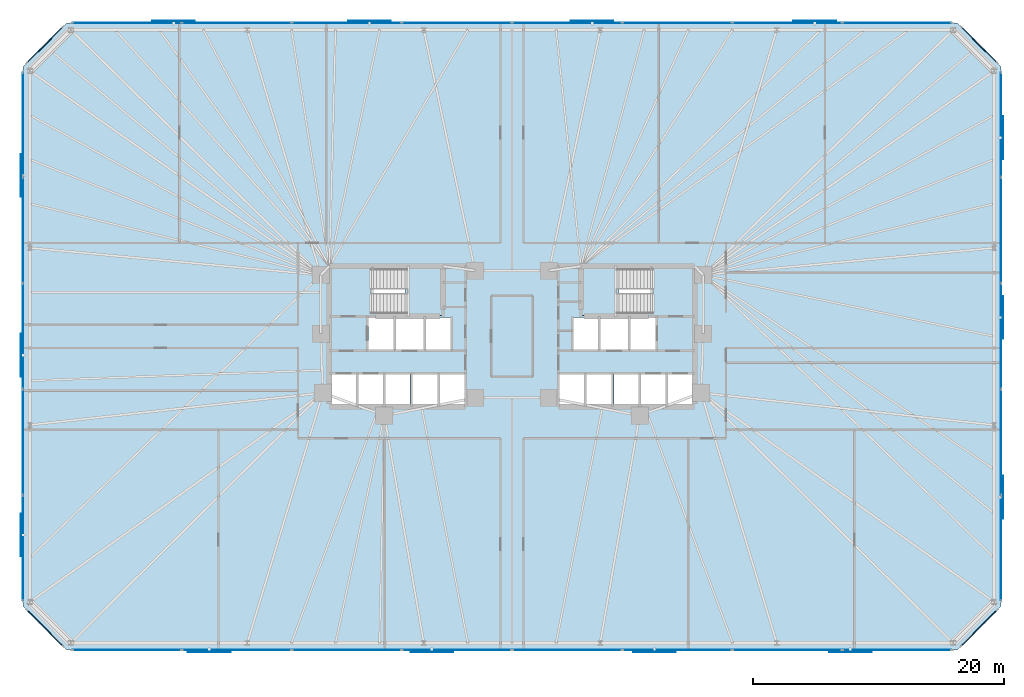
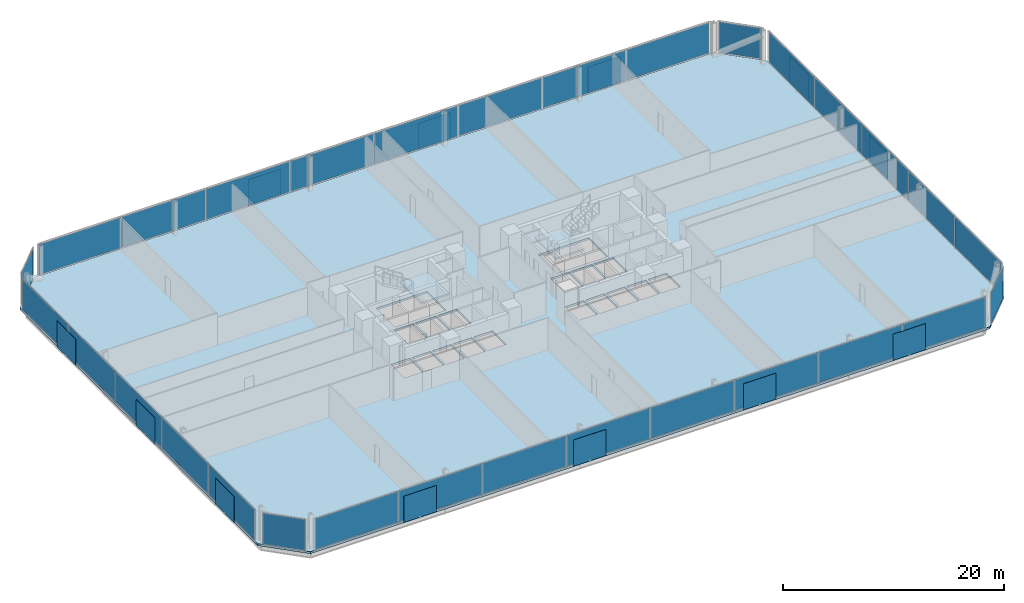
# One storey, part 11 of 17: 44 plates, 3 slabs, 10 elements without a shape of their own.
"""IFC4 building model written with IfcOpenShell, lengths in metres."""

from ifc_helpers import new_model, si_unit, direction, frame, origin, origin_2d, place, context, subcontext, project, spatial, polyline, rectangle, outline, extrude, material, layer, layer_set, type_object, element, aggregate, save


model = new_model("IFC4")

# Units and contexts
model_context = context("Model", 3, precision=1e-05, world=origin(), true_north=direction((0.0, 1.0)))
body_context = subcontext(model_context, "Body", "Model", "MODEL_VIEW")
ifc_project = project(units=[si_unit("LENGTHUNIT", "METRE"), si_unit("AREAUNIT", "SQUARE_METRE"), si_unit("VOLUMEUNIT", "CUBIC_METRE"), si_unit("PLANEANGLEUNIT", "RADIAN"), si_unit("MASSUNIT", "GRAM", prefix="KILO")], contexts=[model_context])

# Site, building, storey
site_placement = place(None, origin())
site = spatial("IfcSite", under=ifc_project, at=site_placement, CompositionType="ELEMENT")
building_placement = place(site_placement, origin())
building = spatial("IfcBuilding", under=site, at=building_placement, Name="Menara Jurai Vektor", CompositionType="ELEMENT")
storey_placement = place(building_placement, frame((0.0, 0.0, 18.0)))
storey = spatial("IfcBuildingStorey", under=building, at=storey_placement, Name="L03", CompositionType="ELEMENT", Elevation=18.0)

# Curtain wall, plates
ifc_material_1 = material(Name="Anodised Pale Aluminium & Low-E Double Glazing", Category="aluminium")
curtain_wall_type = type_object("IfcCurtainWallType", Name="CW-BLK1", PredefinedType="NOTDEFINED", material=ifc_material_1)
curtain_wall_1_placement = place(storey_placement, origin())
curtain_wall_1 = element("IfcCurtainWall", 1, at=curtain_wall_1_placement, inside=storey, type_object=curtain_wall_type, Name="Unitised Curtain Wall L03 F01", PredefinedType="NOTDEFINED")
ifc_material_2 = material(Name="Low-E Solar-Control Double Glazed Unit", Category="glass")
ifc_layer_1 = layer(ifc_material_2, 0.035888671875)
ifc_layer_set_1 = layer_set([ifc_layer_1], Name="Low-E Solar-Control Double Glazed Unit")
plate_type_1 = type_object("IfcPlateType", Name="CW-BLK1-PNL", PredefinedType="CURTAIN_PANEL", material=ifc_layer_set_1)
plate_1_placement = place(storey_placement, frame((-30.706298828125, -25.0, 0.09521484375), z_axis=(0.0, 0.0, 1.0), x_axis=(1.0, 0.0, 0.0)))
plate_1 = element("IfcPlate", 2, at=plate_1_placement, type_object=plate_type_1, Name="CW-01 panel 1.1", PredefinedType="CURTAIN_PANEL", context=body_context, shape_type="SweptSolid", body=[
    extrude(rectangle(XDim=8.637451171875, YDim=0.035888671875, at=origin_2d()), origin(), (0.0, 0.0, 1.0), 3.385009765625),
])
plate_2_placement = place(storey_placement, frame((-21.949951171875, -25.0, 0.09521484375), z_axis=(0.0, 0.0, 1.0), x_axis=(1.0, 0.0, 0.0)))
plate_2 = element("IfcPlate", 3, at=plate_2_placement, type_object=plate_type_1, Name="CW-01 panel 2.1", PredefinedType="CURTAIN_PANEL", context=body_context, shape_type="SweptSolid", body=[
    extrude(rectangle(XDim=8.68505859375, YDim=0.035888671875, at=origin_2d()), origin(), (0.0, 0.0, 1.0), 3.385009765625),
])
plate_3_placement = place(storey_placement, frame((-13.169921875, -25.0, 0.09521484375), z_axis=(0.0, 0.0, 1.0), x_axis=(1.0, 0.0, 0.0)))
plate_3 = element("IfcPlate", 4, at=plate_3_placement, type_object=plate_type_1, Name="CW-01 panel 3.1", PredefinedType="CURTAIN_PANEL", context=body_context, shape_type="SweptSolid", body=[
    extrude(rectangle(XDim=8.68505859375, YDim=0.035888671875, at=origin_2d()), origin(), (0.0, 0.0, 1.0), 3.385009765625),
])
plate_4_placement = place(storey_placement, frame((-4.389892578125, -25.0, 0.09521484375), z_axis=(0.0, 0.0, 1.0), x_axis=(1.0, 0.0, 0.0)))
plate_4 = element("IfcPlate", 5, at=plate_4_placement, type_object=plate_type_1, Name="CW-01 panel 4.1", PredefinedType="CURTAIN_PANEL", context=body_context, shape_type="SweptSolid", body=[
    extrude(rectangle(XDim=8.68505859375, YDim=0.035888671875, at=origin_2d()), origin(), (0.0, 0.0, 1.0), 3.385009765625),
])
plate_5_placement = place(storey_placement, frame((4.389892578125, -25.0, 0.09521484375), z_axis=(0.0, 0.0, 1.0), x_axis=(1.0, 0.0, 0.0)))
plate_5 = element("IfcPlate", 6, at=plate_5_placement, type_object=plate_type_1, Name="CW-01 panel 5.1", PredefinedType="CURTAIN_PANEL", context=body_context, shape_type="SweptSolid", body=[
    extrude(rectangle(XDim=8.68505859375, YDim=0.035888671875, at=origin_2d()), origin(), (0.0, 0.0, 1.0), 3.385009765625),
])
plate_6_placement = place(storey_placement, frame((13.169921875, -25.0, 0.09521484375), z_axis=(0.0, 0.0, 1.0), x_axis=(1.0, 0.0, 0.0)))
plate_6 = element("IfcPlate", 7, at=plate_6_placement, type_object=plate_type_1, Name="CW-01 panel 6.1", PredefinedType="CURTAIN_PANEL", context=body_context, shape_type="SweptSolid", body=[
    extrude(rectangle(XDim=8.68505859375, YDim=0.035888671875, at=origin_2d()), origin(), (0.0, 0.0, 1.0), 3.385009765625),
])
plate_7_placement = place(storey_placement, frame((21.949951171875, -25.0, 0.09521484375), z_axis=(0.0, 0.0, 1.0), x_axis=(1.0, 0.0, 0.0)))
plate_7 = element("IfcPlate", 8, at=plate_7_placement, type_object=plate_type_1, Name="CW-01 panel 7.1", PredefinedType="CURTAIN_PANEL", context=body_context, shape_type="SweptSolid", body=[
    extrude(rectangle(XDim=8.68505859375, YDim=0.035888671875, at=origin_2d()), origin(), (0.0, 0.0, 1.0), 3.385009765625),
])
plate_8_placement = place(storey_placement, frame((30.706298828125, -25.0, 0.09521484375), z_axis=(0.0, 0.0, 1.0), x_axis=(1.0, 0.0, 0.0)))
plate_8 = element("IfcPlate", 9, at=plate_8_placement, type_object=plate_type_1, Name="CW-01 panel 8.1", PredefinedType="CURTAIN_PANEL", context=body_context, shape_type="SweptSolid", body=[
    extrude(rectangle(XDim=8.637451171875, YDim=0.035888671875, at=origin_2d()), origin(), (0.0, 0.0, 1.0), 3.385009765625),
])
aggregate(curtain_wall_1, [plate_1, plate_2, plate_3, plate_4, plate_5, plate_6, plate_7, plate_8])

curtain_wall_2_placement = place(storey_placement, origin())
curtain_wall_2 = element("IfcCurtainWall", 10, at=curtain_wall_2_placement, inside=storey, type_object=curtain_wall_type, Name="Unitised Curtain Wall L03 F03", PredefinedType="NOTDEFINED")
plate_9_placement = place(storey_placement, frame((39.0, -16.872314453125, 0.09521484375), z_axis=(0.0, 0.0, 1.0), x_axis=(0.0, 1.0, 0.0)))
plate_9 = element("IfcPlate", 11, at=plate_9_placement, type_object=plate_type_1, Name="CW-01 panel 1.1", PredefinedType="CURTAIN_PANEL", context=body_context, shape_type="SweptSolid", body=[
    extrude(rectangle(XDim=8.305419921875, YDim=0.035888671875, at=origin_2d()), origin(), (0.0, 0.0, 1.0), 3.385009765625),
])
plate_10_placement = place(storey_placement, frame((39.0, -8.447998046875, 0.09521484375), z_axis=(0.0, 0.0, 1.0), x_axis=(0.0, 1.0, 0.0)))
plate_10 = element("IfcPlate", 12, at=plate_10_placement, type_object=plate_type_1, Name="CW-01 panel 2.1", PredefinedType="CURTAIN_PANEL", context=body_context, shape_type="SweptSolid", body=[
    extrude(rectangle(XDim=8.35302734375, YDim=0.035888671875, at=origin_2d()), origin(), (0.0, 0.0, 1.0), 3.385009765625),
])
plate_11_placement = place(storey_placement, frame((39.0, 0.0, 0.09521484375), z_axis=(0.0, 0.0, 1.0), x_axis=(0.0, 1.0, 0.0)))
plate_11 = element("IfcPlate", 13, at=plate_11_placement, type_object=plate_type_1, Name="CW-01 panel 3.1", PredefinedType="CURTAIN_PANEL", context=body_context, shape_type="SweptSolid", body=[
    extrude(rectangle(XDim=8.35302734375, YDim=0.035888671875, at=origin_2d()), origin(), (0.0, 0.0, 1.0), 3.385009765625),
])
plate_12_placement = place(storey_placement, frame((39.0, 8.447998046875, 0.09521484375), z_axis=(0.0, 0.0, 1.0), x_axis=(0.0, 1.0, 0.0)))
plate_12 = element("IfcPlate", 14, at=plate_12_placement, type_object=plate_type_1, Name="CW-01 panel 4.1", PredefinedType="CURTAIN_PANEL", context=body_context, shape_type="SweptSolid", body=[
    extrude(rectangle(XDim=8.35302734375, YDim=0.035888671875, at=origin_2d()), origin(), (0.0, 0.0, 1.0), 3.385009765625),
])
plate_13_placement = place(storey_placement, frame((39.0, 16.872314453125, 0.09521484375), z_axis=(0.0, 0.0, 1.0), x_axis=(0.0, 1.0, 0.0)))
plate_13 = element("IfcPlate", 15, at=plate_13_placement, type_object=plate_type_1, Name="CW-01 panel 5.1", PredefinedType="CURTAIN_PANEL", context=body_context, shape_type="SweptSolid", body=[
    extrude(rectangle(XDim=8.305419921875, YDim=0.035888671875, at=origin_2d()), origin(), (0.0, 0.0, 1.0), 3.385009765625),
])
aggregate(curtain_wall_2, [plate_9, plate_10, plate_11, plate_12, plate_13])

curtain_wall_3_placement = place(storey_placement, origin())
curtain_wall_3 = element("IfcCurtainWall", 16, at=curtain_wall_3_placement, inside=storey, type_object=curtain_wall_type, Name="Unitised Curtain Wall L03 F05", PredefinedType="NOTDEFINED")
plate_14_placement = place(storey_placement, frame((30.706298828125, 25.0, 0.09521484375), z_axis=(0.0, 0.0, 1.0), x_axis=(-1.0, 0.0, 0.0)))
plate_14 = element("IfcPlate", 17, at=plate_14_placement, type_object=plate_type_1, Name="CW-01 panel 1.1", PredefinedType="CURTAIN_PANEL", context=body_context, shape_type="SweptSolid", body=[
    extrude(rectangle(XDim=8.637451171875, YDim=0.035888671875, at=origin_2d()), origin(), (0.0, 0.0, 1.0), 3.385009765625),
])
plate_15_placement = place(storey_placement, frame((21.949951171875, 25.0, 0.09521484375), z_axis=(0.0, 0.0, 1.0), x_axis=(-1.0, 0.0, 0.0)))
plate_15 = element("IfcPlate", 18, at=plate_15_placement, type_object=plate_type_1, Name="CW-01 panel 2.1", PredefinedType="CURTAIN_PANEL", context=body_context, shape_type="SweptSolid", body=[
    extrude(rectangle(XDim=8.68505859375, YDim=0.035888671875, at=origin_2d()), origin(), (0.0, 0.0, 1.0), 3.385009765625),
])
plate_16_placement = place(storey_placement, frame((13.169921875, 25.0, 0.09521484375), z_axis=(0.0, 0.0, 1.0), x_axis=(-1.0, 0.0, 0.0)))
plate_16 = element("IfcPlate", 19, at=plate_16_placement, type_object=plate_type_1, Name="CW-01 panel 3.1", PredefinedType="CURTAIN_PANEL", context=body_context, shape_type="SweptSolid", body=[
    extrude(rectangle(XDim=8.68505859375, YDim=0.035888671875, at=origin_2d()), origin(), (0.0, 0.0, 1.0), 3.385009765625),
])
plate_17_placement = place(storey_placement, frame((4.389892578125, 25.0, 0.09521484375), z_axis=(0.0, 0.0, 1.0), x_axis=(-1.0, 0.0, 0.0)))
plate_17 = element("IfcPlate", 20, at=plate_17_placement, type_object=plate_type_1, Name="CW-01 panel 4.1", PredefinedType="CURTAIN_PANEL", context=body_context, shape_type="SweptSolid", body=[
    extrude(rectangle(XDim=8.68505859375, YDim=0.035888671875, at=origin_2d()), origin(), (0.0, 0.0, 1.0), 3.385009765625),
])
plate_18_placement = place(storey_placement, frame((-4.389892578125, 25.0, 0.09521484375), z_axis=(0.0, 0.0, 1.0), x_axis=(-1.0, 0.0, 0.0)))
plate_18 = element("IfcPlate", 21, at=plate_18_placement, type_object=plate_type_1, Name="CW-01 panel 5.1", PredefinedType="CURTAIN_PANEL", context=body_context, shape_type="SweptSolid", body=[
    extrude(rectangle(XDim=8.68505859375, YDim=0.035888671875, at=origin_2d()), origin(), (0.0, 0.0, 1.0), 3.385009765625),
])
plate_19_placement = place(storey_placement, frame((-13.169921875, 25.0, 0.09521484375), z_axis=(0.0, 0.0, 1.0), x_axis=(-1.0, 0.0, 0.0)))
plate_19 = element("IfcPlate", 22, at=plate_19_placement, type_object=plate_type_1, Name="CW-01 panel 6.1", PredefinedType="CURTAIN_PANEL", context=body_context, shape_type="SweptSolid", body=[
    extrude(rectangle(XDim=8.68505859375, YDim=0.035888671875, at=origin_2d()), origin(), (0.0, 0.0, 1.0), 3.385009765625),
])
plate_20_placement = place(storey_placement, frame((-21.949951171875, 25.0, 0.09521484375), z_axis=(0.0, 0.0, 1.0), x_axis=(-1.0, 0.0, 0.0)))
plate_20 = element("IfcPlate", 23, at=plate_20_placement, type_object=plate_type_1, Name="CW-01 panel 7.1", PredefinedType="CURTAIN_PANEL", context=body_context, shape_type="SweptSolid", body=[
    extrude(rectangle(XDim=8.68505859375, YDim=0.035888671875, at=origin_2d()), origin(), (0.0, 0.0, 1.0), 3.385009765625),
])
plate_21_placement = place(storey_placement, frame((-30.706298828125, 25.0, 0.09521484375), z_axis=(0.0, 0.0, 1.0), x_axis=(-1.0, 0.0, 0.0)))
plate_21 = element("IfcPlate", 24, at=plate_21_placement, type_object=plate_type_1, Name="CW-01 panel 8.1", PredefinedType="CURTAIN_PANEL", context=body_context, shape_type="SweptSolid", body=[
    extrude(rectangle(XDim=8.637451171875, YDim=0.035888671875, at=origin_2d()), origin(), (0.0, 0.0, 1.0), 3.385009765625),
])
aggregate(curtain_wall_3, [plate_14, plate_15, plate_16, plate_17, plate_18, plate_19, plate_20, plate_21])

curtain_wall_4_placement = place(storey_placement, origin())
curtain_wall_4 = element("IfcCurtainWall", 25, at=curtain_wall_4_placement, inside=storey, type_object=curtain_wall_type, Name="Unitised Curtain Wall L03 F07", PredefinedType="NOTDEFINED")
plate_22_placement = place(storey_placement, frame((-39.0, 16.872314453125, 0.09521484375), z_axis=(0.0, 0.0, 1.0), x_axis=(0.0, -1.0, 0.0)))
plate_22 = element("IfcPlate", 26, at=plate_22_placement, type_object=plate_type_1, Name="CW-01 panel 1.1", PredefinedType="CURTAIN_PANEL", context=body_context, shape_type="SweptSolid", body=[
    extrude(rectangle(XDim=8.305419921875, YDim=0.035888671875, at=origin_2d()), origin(), (0.0, 0.0, 1.0), 3.385009765625),
])
plate_23_placement = place(storey_placement, frame((-39.0, 8.447998046875, 0.09521484375), z_axis=(0.0, 0.0, 1.0), x_axis=(0.0, -1.0, 0.0)))
plate_23 = element("IfcPlate", 27, at=plate_23_placement, type_object=plate_type_1, Name="CW-01 panel 2.1", PredefinedType="CURTAIN_PANEL", context=body_context, shape_type="SweptSolid", body=[
    extrude(rectangle(XDim=8.35302734375, YDim=0.035888671875, at=origin_2d()), origin(), (0.0, 0.0, 1.0), 3.385009765625),
])
plate_24_placement = place(storey_placement, frame((-39.0, 0.0, 0.09521484375), z_axis=(0.0, 0.0, 1.0), x_axis=(0.0, -1.0, 0.0)))
plate_24 = element("IfcPlate", 28, at=plate_24_placement, type_object=plate_type_1, Name="CW-01 panel 3.1", PredefinedType="CURTAIN_PANEL", context=body_context, shape_type="SweptSolid", body=[
    extrude(rectangle(XDim=8.35302734375, YDim=0.035888671875, at=origin_2d()), origin(), (0.0, 0.0, 1.0), 3.385009765625),
])
plate_25_placement = place(storey_placement, frame((-39.0, -8.447998046875, 0.09521484375), z_axis=(0.0, 0.0, 1.0), x_axis=(0.0, -1.0, 0.0)))
plate_25 = element("IfcPlate", 29, at=plate_25_placement, type_object=plate_type_1, Name="CW-01 panel 4.1", PredefinedType="CURTAIN_PANEL", context=body_context, shape_type="SweptSolid", body=[
    extrude(rectangle(XDim=8.35302734375, YDim=0.035888671875, at=origin_2d()), origin(), (0.0, 0.0, 1.0), 3.385009765625),
])
plate_26_placement = place(storey_placement, frame((-39.0, -16.872314453125, 0.09521484375), z_axis=(0.0, 0.0, 1.0), x_axis=(0.0, -1.0, 0.0)))
plate_26 = element("IfcPlate", 30, at=plate_26_placement, type_object=plate_type_1, Name="CW-01 panel 5.1", PredefinedType="CURTAIN_PANEL", context=body_context, shape_type="SweptSolid", body=[
    extrude(rectangle(XDim=8.305419921875, YDim=0.035888671875, at=origin_2d()), origin(), (0.0, 0.0, 1.0), 3.385009765625),
])
aggregate(curtain_wall_4, [plate_22, plate_23, plate_24, plate_25, plate_26])

# Curtain wall, plate
curtain_wall_5_placement = place(storey_placement, origin())
curtain_wall_5 = element("IfcCurtainWall", 31, at=curtain_wall_5_placement, inside=storey, type_object=curtain_wall_type, Name="Unitised Curtain Wall L03 F02", PredefinedType="NOTDEFINED")
ifc_material_3 = material(Name="Insulated Pale Aluminium Spandrel Panel", Category="aluminium")
ifc_layer_2 = layer(ifc_material_3, 0.06005859375)
ifc_layer_set_2 = layer_set([ifc_layer_2], Name="Insulated Pale Aluminium Spandrel Panel")
plate_type_2 = type_object("IfcPlateType", Name="CW-PNL-SP", PredefinedType="CURTAIN_PANEL", material=ifc_layer_set_2)
plate_27_placement = place(storey_placement, frame((37.25, -23.25, 0.09521484375), z_axis=(0.0, 0.0, 1.0), x_axis=(0.707106781187, 0.707106781187, 0.0)))
plate_27 = element("IfcPlate", 32, at=plate_27_placement, type_object=plate_type_2, Name="CW-01 panel 1.1", PredefinedType="CURTAIN_PANEL", context=body_context, shape_type="SweptSolid", body=[
    extrude(rectangle(XDim=3.999755859375, YDim=0.06005859375, at=origin_2d()), origin(), (0.0, 0.0, 1.0), 3.385009765625),
])
aggregate(curtain_wall_5, [plate_27])

curtain_wall_6_placement = place(storey_placement, origin())
curtain_wall_6 = element("IfcCurtainWall", 33, at=curtain_wall_6_placement, inside=storey, type_object=curtain_wall_type, Name="Unitised Curtain Wall L03 F04", PredefinedType="NOTDEFINED")
plate_28_placement = place(storey_placement, frame((37.25, 23.25, 0.09521484375), z_axis=(0.0, 0.0, 1.0), x_axis=(-0.707106781187, 0.707106781187, 0.0)))
plate_28 = element("IfcPlate", 34, at=plate_28_placement, type_object=plate_type_2, Name="CW-01 panel 1.1", PredefinedType="CURTAIN_PANEL", context=body_context, shape_type="SweptSolid", body=[
    extrude(rectangle(XDim=3.999755859375, YDim=0.06005859375, at=origin_2d()), origin(), (0.0, 0.0, 1.0), 3.385009765625),
])
aggregate(curtain_wall_6, [plate_28])

curtain_wall_7_placement = place(storey_placement, origin())
curtain_wall_7 = element("IfcCurtainWall", 35, at=curtain_wall_7_placement, inside=storey, type_object=curtain_wall_type, Name="Unitised Curtain Wall L03 F06", PredefinedType="NOTDEFINED")
plate_29_placement = place(storey_placement, frame((-37.25, 23.25, 0.09521484375), z_axis=(0.0, 0.0, 1.0), x_axis=(-0.707106781187, -0.707106781187, 0.0)))
plate_29 = element("IfcPlate", 36, at=plate_29_placement, type_object=plate_type_2, Name="CW-01 panel 1.1", PredefinedType="CURTAIN_PANEL", context=body_context, shape_type="SweptSolid", body=[
    extrude(rectangle(XDim=3.999755859375, YDim=0.06005859375, at=origin_2d()), origin(), (0.0, 0.0, 1.0), 3.385009765625),
])
aggregate(curtain_wall_7, [plate_29])

curtain_wall_8_placement = place(storey_placement, origin())
curtain_wall_8 = element("IfcCurtainWall", 37, at=curtain_wall_8_placement, inside=storey, type_object=curtain_wall_type, Name="Unitised Curtain Wall L03 F08", PredefinedType="NOTDEFINED")
plate_30_placement = place(storey_placement, frame((-37.25, -23.25, 0.09521484375), z_axis=(0.0, 0.0, 1.0), x_axis=(0.707106781187, -0.707106781187, 0.0)))
plate_30 = element("IfcPlate", 38, at=plate_30_placement, type_object=plate_type_2, Name="CW-01 panel 1.1", PredefinedType="CURTAIN_PANEL", context=body_context, shape_type="SweptSolid", body=[
    extrude(rectangle(XDim=3.999755859375, YDim=0.06005859375, at=origin_2d()), origin(), (0.0, 0.0, 1.0), 3.385009765625),
])
aggregate(curtain_wall_8, [plate_30])

# Plates
ifc_material_4 = material(Name="Anodised Pale Aluminium Perforated Screen", Category="aluminium")
ifc_layer_3 = layer(ifc_material_4, 0.02392578125)
ifc_layer_set_3 = layer_set([ifc_layer_3], Name="Anodised Pale Aluminium Perforated Screen")
plate_type_3 = type_object("IfcPlateType", Name="ENV-PLT-SCREEN", PredefinedType="USERDEFINED", material=ifc_layer_set_3)
for number, where, z_axis, x_axis, name in (
    (39, (-24.139892578125, -25.159912109375, -0.050048828125), (0.0, 0.0, 1.0), (1.0, 0.0, 0.0), "Perforated Pale-Metal Solar Screen L03-S01"),
    (40, (-6.389892578125, -25.159912109375, -0.050048828125), (0.0, 0.0, 1.0), (1.0, 0.0, 0.0), "Perforated Pale-Metal Solar Screen L03-S02"),
    (41, (11.360107421875, -25.159912109375, -0.050048828125), (0.0, 0.0, 1.0), (1.0, 0.0, 0.0), "Perforated Pale-Metal Solar Screen L03-S03"),
    (42, (26.97998046875, -25.159912109375, -0.050048828125), (0.0, 0.0, 1.0), (1.0, 0.0, 0.0), "Perforated Pale-Metal Solar Screen L03-S04"),
    (43, (39.159912109375, -12.828369140625, -0.050048828125), (0.0, 0.0, 1.0), (0.0, 1.0, 0.0), "Perforated Pale-Metal Solar Screen L03-S05"),
    (44, (39.159912109375, 1.5048828125, -0.050048828125), (0.0, 0.0, 1.0), (0.0, 1.0, 0.0), "Perforated Pale-Metal Solar Screen L03-S06"),
    (45, (39.159912109375, 15.83837890625, -0.050048828125), (0.0, 0.0, 1.0), (0.0, 1.0, 0.0), "Perforated Pale-Metal Solar Screen L03-S07"),
    (46, (24.139892578125, 25.159912109375, -0.050048828125), (0.0, 0.0, 1.0), (-1.0, 0.0, 0.0), "Perforated Pale-Metal Solar Screen L03-S08"),
    (47, (6.389892578125, 25.159912109375, -0.050048828125), (0.0, 0.0, 1.0), (-1.0, 0.0, 0.0), "Perforated Pale-Metal Solar Screen L03-S09"),
    (48, (-11.360107421875, 25.159912109375, -0.050048828125), (0.0, 0.0, 1.0), (-1.0, 0.0, 0.0), "Perforated Pale-Metal Solar Screen L03-S10"),
    (49, (-26.97998046875, 25.159912109375, -0.050048828125), (0.0, 0.0, 1.0), (-1.0, 0.0, 0.0), "Perforated Pale-Metal Solar Screen L03-S11"),
    (50, (-39.159912109375, 12.828369140625, -0.050048828125), (0.0, 0.0, 1.0), (0.0, -1.0, 0.0), "Perforated Pale-Metal Solar Screen L03-S12"),
    (51, (-39.159912109375, -1.5048828125, -0.050048828125), (0.0, 0.0, 1.0), (0.0, -1.0, 0.0), "Perforated Pale-Metal Solar Screen L03-S13"),
    (52, (-39.159912109375, -15.83837890625, -0.050048828125), (0.0, 0.0, 1.0), (0.0, -1.0, 0.0), "Perforated Pale-Metal Solar Screen L03-S14"),
):
    element("IfcPlate", number, at=place(storey_placement, frame(where, z_axis=z_axis, x_axis=x_axis)), inside=storey, type_object=plate_type_3, Name=name, ObjectType="SCREEN", PredefinedType="USERDEFINED", context=body_context, shape_type="SweptSolid", body=[
        extrude(rectangle(XDim=3.39990234375, YDim=0.02392578125, at=origin_2d()), origin(), (0.0, 0.0, 1.0), 2.89990234375),
    ])

# Stair, slab
ifc_material_5 = material(Name="Concrete C40/50", Category="concrete")
stair_type = type_object("IfcStairType", Name="STAIR-DOGLEG-1500", PredefinedType="HALF_TURN_STAIR", material=ifc_material_5)
stair_1_placement = place(storey_placement, origin())
stair_1 = element("IfcStair", 53, at=stair_1_placement, inside=storey, type_object=stair_type, Name="Protected Exit Stair ST1 L03", PredefinedType="HALF_TURN_STAIR")
ifc_layer_4 = layer(ifc_material_5, 0.199951171875)
ifc_layer_set_4 = layer_set([ifc_layer_4], Name="Concrete C40/50")
slab_type_1 = type_object("IfcSlabType", Name="STAIR-LANDING-200", PredefinedType="LANDING", material=ifc_layer_set_4)
slab_1_placement = place(storey_placement, frame((0.0, 0.0, 1.699951171875)))
slab_1 = element("IfcSlab", 54, at=slab_1_placement, type_object=slab_type_1, Name="ST1 landing 1", PredefinedType="LANDING", context=body_context, shape_type="SweptSolid", body=[
    extrude(outline(polyline([(-8.52001953125, 1.64990234375), (-5.550048828125, 1.64990234375), (-5.550048828125, 5.550048828125), (-8.52001953125, 5.550048828125), (-8.52001953125, 1.64990234375)])), origin(), (0.0, 0.0, 1.0), 0.199951171875),
])
aggregate(stair_1, [slab_1])

stair_2_placement = place(storey_placement, origin())
stair_2 = element("IfcStair", 55, at=stair_2_placement, inside=storey, type_object=stair_type, Name="Protected Exit Stair ST2 L03", PredefinedType="HALF_TURN_STAIR")
slab_2_placement = place(storey_placement, frame((0.0, 0.0, 1.699951171875)))
slab_2 = element("IfcSlab", 56, at=slab_2_placement, type_object=slab_type_1, Name="ST2 landing 1", PredefinedType="LANDING", context=body_context, shape_type="SweptSolid", body=[
    extrude(outline(polyline([(5.550048828125, 1.64990234375), (8.52001953125, 1.64990234375), (8.52001953125, 5.550048828125), (5.550048828125, 5.550048828125), (5.550048828125, 1.64990234375)])), origin(), (0.0, 0.0, 1.0), 0.199951171875),
])
aggregate(stair_2, [slab_2])

# Slab
ifc_layer_5 = layer(ifc_material_5, 0.22509765625)
ifc_layer_set_5 = layer_set([ifc_layer_5], Name="Concrete C40/50")
slab_type_2 = type_object("IfcSlabType", Name="STR-SLAB-TYP200", PredefinedType="FLOOR", material=ifc_layer_set_5)
slab_3_placement = place(storey_placement, frame((0.0, 0.0, -0.22509765625)))
element("IfcSlab", 57, at=slab_3_placement, inside=storey, type_object=slab_type_2, Name="Composite Floor Slab L03", PredefinedType="FLOOR", context=body_context, shape_type="SweptSolid", body=[
    extrude(outline(polyline([(-35.5, -25.0), (35.5, -25.0), (39.0, -21.5), (39.0, 21.5), (35.5, 25.0), (-35.5, 25.0), (-39.0, 21.5), (-39.0, -21.5), (-35.5, -25.0)]), holes=[polyline([(-11.10009765625, 1.89990234375), (-11.10009765625, 5.300048828125), (-5.800048828125, 5.300048828125), (-5.800048828125, 1.89990234375), (-11.10009765625, 1.89990234375)]), polyline([(5.800048828125, 1.89990234375), (5.800048828125, 5.300048828125), (11.10009765625, 5.300048828125), (11.10009765625, 1.89990234375), (5.800048828125, 1.89990234375)]), polyline([(-11.449951171875, -1.050048828125), (-11.449951171875, 1.5), (-9.449951171875, 1.5), (-9.449951171875, -1.050048828125), (-11.449951171875, -1.050048828125)]), polyline([(9.449951171875, -1.050048828125), (9.449951171875, 1.5), (11.449951171875, 1.5), (11.449951171875, -1.050048828125), (9.449951171875, -1.050048828125)]), polyline([(-5.760009765625, -5.5), (-5.760009765625, -3.050048828125), (-3.800048828125, -3.050048828125), (-3.800048828125, -5.5), (-5.760009765625, -5.5)]), polyline([(-6.85009765625, -1.050048828125), (-6.85009765625, 1.5), (-4.889892578125, 1.5), (-4.889892578125, -1.050048828125), (-6.85009765625, -1.050048828125)]), polyline([(3.800048828125, -5.5), (3.800048828125, -3.050048828125), (5.760009765625, -3.050048828125), (5.760009765625, -5.5), (3.800048828125, -5.5)]), polyline([(4.889892578125, -1.050048828125), (4.889892578125, 1.5), (6.85009765625, 1.5), (6.85009765625, -1.050048828125), (4.889892578125, -1.050048828125)]), polyline([(-14.39990234375, -5.5), (-14.39990234375, -3.050048828125), (-12.43994140625, -3.050048828125), (-12.43994140625, -5.5), (-14.39990234375, -5.5)]), polyline([(-12.239990234375, -5.5), (-12.239990234375, -3.050048828125), (-10.280029296875, -3.050048828125), (-10.280029296875, -5.5), (-12.239990234375, -5.5)]), polyline([(10.280029296875, -5.5), (10.280029296875, -3.050048828125), (12.239990234375, -3.050048828125), (12.239990234375, -5.5), (10.280029296875, -5.5)]), polyline([(12.43994140625, -5.5), (12.43994140625, -3.050048828125), (14.39990234375, -3.050048828125), (14.39990234375, -5.5), (12.43994140625, -5.5)]), polyline([(-10.080078125, -5.5), (-10.080078125, -3.050048828125), (-8.1201171875, -3.050048828125), (-8.1201171875, -5.5), (-10.080078125, -5.5)]), polyline([(-7.919921875, -5.5), (-7.919921875, -3.050048828125), (-5.9599609375, -3.050048828125), (-5.9599609375, -5.5), (-7.919921875, -5.5)]), polyline([(5.9599609375, -5.5), (5.9599609375, -3.050048828125), (7.919921875, -3.050048828125), (7.919921875, -5.5), (5.9599609375, -5.5)]), polyline([(8.1201171875, -5.5), (8.1201171875, -3.050048828125), (10.080078125, -3.050048828125), (10.080078125, -5.5), (8.1201171875, -5.5)]), polyline([(-9.25, -1.050048828125), (-9.25, 1.5), (-7.050048828125, 1.5), (-7.050048828125, -1.050048828125), (-9.25, -1.050048828125)]), polyline([(7.050048828125, -1.050048828125), (7.050048828125, 1.5), (9.25, 1.5), (9.25, -1.050048828125), (7.050048828125, -1.050048828125)])]), origin(), (0.0, 0.0, 1.0), 0.22509765625),
])

save(model, "model.ifc")
